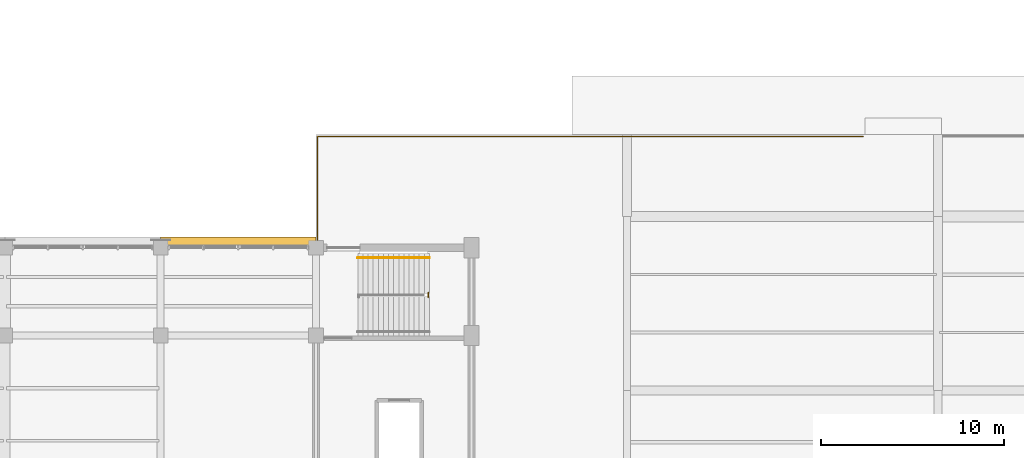
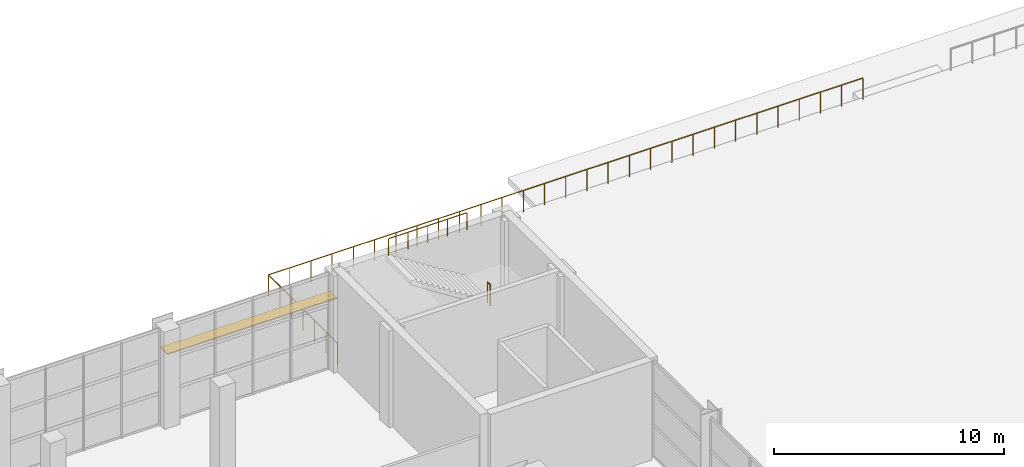
# One storey, part 81 of 90: 3 railings, 1 shading device.
"""IFC4 building model written with IfcOpenShell, lengths in metres."""

from ifc_helpers import new_model, si_unit, direction, frame, origin, origin_2d, place, context, subcontext, project, spatial, hollow_rectangle, circle, extrude, material, material_profile, profile_set, type_object, element, save


model = new_model("IFC4")

# Units and contexts
model_context = context("Model", 3, precision=1e-05, world=origin(), true_north=direction((0.0, 1.0)))
body_context = subcontext(model_context, "Body", "Model", "MODEL_VIEW")
ifc_project = project(units=[si_unit("LENGTHUNIT", "METRE"), si_unit("AREAUNIT", "SQUARE_METRE"), si_unit("VOLUMEUNIT", "CUBIC_METRE"), si_unit("PLANEANGLEUNIT", "RADIAN"), si_unit("MASSUNIT", "GRAM", prefix="KILO")], contexts=[model_context])

# Site, building, storey
site_placement = place(None, origin())
site = spatial("IfcSite", under=ifc_project, at=site_placement, CompositionType="ELEMENT")
building_placement = place(site_placement, origin())
building = spatial("IfcBuilding", under=site, at=building_placement, Name="Solvikara Media Centre", CompositionType="ELEMENT")
storey_placement = place(building_placement, origin())
storey = spatial("IfcBuildingStorey", under=building, at=storey_placement, Name="L00", CompositionType="ELEMENT", Elevation=0.0)

# Railings
ifc_material_1 = material(Name="Steel S355JR", Category="steel")
railing_type_1 = type_object("IfcRailingType", Name="GR-01", PredefinedType="GUARDRAIL", material=ifc_material_1)
railing_1_placement = place(storey_placement, frame((68.080078125, 36.8798828125, 0.0)))
element("IfcRailing", 1, at=railing_1_placement, inside=storey, type_object=railing_type_1, Name="GR-L00-PRM-03", PredefinedType="GUARDRAIL", context=body_context, shape_type="SweptSolid", body=[
    extrude(circle(Radius=0.02392578125, at=origin_2d()), frame((0.0, 0.0, 1.1259765625), z_axis=(0.0, 1.0, 0.0), x_axis=(-1.0, 0.0, 0.0)), (0.0, 0.0, 1.0), 6.0),
    extrude(circle(Radius=0.02392578125, at=origin_2d()), frame((0.0, 6.0, 1.1259765625), z_axis=(1.0, 0.0, 0.0), x_axis=(0.0, 1.0, 0.0)), (0.0, 0.0, 1.0), 29.81982421875),
    extrude(circle(Radius=0.02099609375, at=origin_2d()), origin(), (0.0, 0.0, 1.0), 1.101806640625),
    extrude(circle(Radius=0.02099609375, at=origin_2d()), frame((0.0, 1.0, 0.0)), (0.0, 0.0, 1.0), 1.101806640625),
    extrude(circle(Radius=0.02099609375, at=origin_2d()), frame((0.0, 2.0, 0.0)), (0.0, 0.0, 1.0), 1.101806640625),
    extrude(circle(Radius=0.02099609375, at=origin_2d()), frame((0.0, 3.0, 0.0)), (0.0, 0.0, 1.0), 1.101806640625),
    extrude(circle(Radius=0.02099609375, at=origin_2d()), frame((0.0, 4.0, 0.0)), (0.0, 0.0, 1.0), 1.101806640625),
    extrude(circle(Radius=0.02099609375, at=origin_2d()), frame((0.0, 5.0, 0.0)), (0.0, 0.0, 1.0), 1.101806640625),
    extrude(circle(Radius=0.02099609375, at=origin_2d()), frame((0.0, 6.0, 0.0)), (0.0, 0.0, 1.0), 1.101806640625),
    extrude(circle(Radius=0.02099609375, at=origin_2d()), frame((1.06494140625, 6.0, 0.0)), (0.0, 0.0, 1.0), 1.101806640625),
    extrude(circle(Radius=0.02099609375, at=origin_2d()), frame((2.1298828125, 6.0, 0.0)), (0.0, 0.0, 1.0), 1.101806640625),
    extrude(circle(Radius=0.02099609375, at=origin_2d()), frame((3.195068359375, 6.0, 0.0)), (0.0, 0.0, 1.0), 1.101806640625),
    extrude(circle(Radius=0.02099609375, at=origin_2d()), frame((4.260009765625, 6.0, 0.0)), (0.0, 0.0, 1.0), 1.101806640625),
    extrude(circle(Radius=0.02099609375, at=origin_2d()), frame((5.324951171875, 6.0, 0.0)), (0.0, 0.0, 1.0), 1.101806640625),
    extrude(circle(Radius=0.02099609375, at=origin_2d()), frame((6.389892578125, 6.0, 0.0)), (0.0, 0.0, 1.0), 1.101806640625),
    extrude(circle(Radius=0.02099609375, at=origin_2d()), frame((7.455078125, 6.0, 0.0)), (0.0, 0.0, 1.0), 1.101806640625),
    extrude(circle(Radius=0.02099609375, at=origin_2d()), frame((8.52001953125, 6.0, 0.0)), (0.0, 0.0, 1.0), 1.101806640625),
    extrude(circle(Radius=0.02099609375, at=origin_2d()), frame((9.5849609375, 6.0, 0.0)), (0.0, 0.0, 1.0), 1.101806640625),
    extrude(circle(Radius=0.02099609375, at=origin_2d()), frame((10.64990234375, 6.0, 0.0)), (0.0, 0.0, 1.0), 1.101806640625),
    extrude(circle(Radius=0.02099609375, at=origin_2d()), frame((11.71484375, 6.0, 0.0)), (0.0, 0.0, 1.0), 1.101806640625),
    extrude(circle(Radius=0.02099609375, at=origin_2d()), frame((12.780029296875, 6.0, 0.0)), (0.0, 0.0, 1.0), 1.101806640625),
    extrude(circle(Radius=0.02099609375, at=origin_2d()), frame((13.844970703125, 6.0, 0.0)), (0.0, 0.0, 1.0), 1.101806640625),
    extrude(circle(Radius=0.02099609375, at=origin_2d()), frame((14.909912109375, 6.0, 0.0)), (0.0, 0.0, 1.0), 1.101806640625),
    extrude(circle(Radius=0.02099609375, at=origin_2d()), frame((15.974853515625, 6.0, 0.0)), (0.0, 0.0, 1.0), 1.101806640625),
    extrude(circle(Radius=0.02099609375, at=origin_2d()), frame((17.039794921875, 6.0, 0.0)), (0.0, 0.0, 1.0), 1.101806640625),
    extrude(circle(Radius=0.02099609375, at=origin_2d()), frame((18.10498046875, 6.0, 0.0)), (0.0, 0.0, 1.0), 1.101806640625),
    extrude(circle(Radius=0.02099609375, at=origin_2d()), frame((19.169921875, 6.0, 0.0)), (0.0, 0.0, 1.0), 1.101806640625),
    extrude(circle(Radius=0.02099609375, at=origin_2d()), frame((20.23486328125, 6.0, 0.0)), (0.0, 0.0, 1.0), 1.101806640625),
    extrude(circle(Radius=0.02099609375, at=origin_2d()), frame((21.2998046875, 6.0, 0.0)), (0.0, 0.0, 1.0), 1.101806640625),
    extrude(circle(Radius=0.02099609375, at=origin_2d()), frame((22.36474609375, 6.0, 0.0)), (0.0, 0.0, 1.0), 1.101806640625),
    extrude(circle(Radius=0.02099609375, at=origin_2d()), frame((23.429931640625, 6.0, 0.0)), (0.0, 0.0, 1.0), 1.101806640625),
    extrude(circle(Radius=0.02099609375, at=origin_2d()), frame((24.494873046875, 6.0, 0.0)), (0.0, 0.0, 1.0), 1.101806640625),
    extrude(circle(Radius=0.02099609375, at=origin_2d()), frame((25.559814453125, 6.0, 0.0)), (0.0, 0.0, 1.0), 1.101806640625),
    extrude(circle(Radius=0.02099609375, at=origin_2d()), frame((26.624755859375, 6.0, 0.0)), (0.0, 0.0, 1.0), 1.101806640625),
    extrude(circle(Radius=0.02099609375, at=origin_2d()), frame((27.68994140625, 6.0, 0.0)), (0.0, 0.0, 1.0), 1.101806640625),
    extrude(circle(Radius=0.02099609375, at=origin_2d()), frame((28.7548828125, 6.0, 0.0)), (0.0, 0.0, 1.0), 1.101806640625),
    extrude(circle(Radius=0.02099609375, at=origin_2d()), frame((29.81982421875, 6.0, 0.0)), (0.0, 0.0, 1.0), 1.101806640625),
])
railing_type_2 = type_object("IfcRailingType", Name="GR-02", PredefinedType="BALUSTRADE", material=ifc_material_1)
railing_2_placement = place(storey_placement, frame((74.139892578125, 34.10009765625, 2.699951171875)))
element("IfcRailing", 2, at=railing_2_placement, inside=storey, type_object=railing_type_2, Name="GR-C3-L00-M", PredefinedType="BALUSTRADE", context=body_context, shape_type="SweptSolid", body=[
    extrude(circle(Radius=0.02392578125, at=origin_2d()), frame((0.0, 0.0, 1.09619140625), z_axis=(0.0, 1.0, 0.0), x_axis=(-1.0, 0.0, 0.0)), (0.0, 0.0, 1.0), 0.25),
    extrude(circle(Radius=0.02099609375, at=origin_2d()), origin(), (0.0, 0.0, 1.0), 1.072021484375),
    extrude(circle(Radius=0.02099609375, at=origin_2d()), frame((0.0, 0.25, 0.0)), (0.0, 0.0, 1.0), 1.072021484375),
])
railing_type_3 = type_object("IfcRailingType", Name="HR-01", PredefinedType="HANDRAIL", material=ifc_material_1)
railing_3_placement = place(storey_placement, frame((74.199951171875, 36.25, 5.39990234375)))
element("IfcRailing", 3, at=railing_3_placement, inside=storey, type_object=railing_type_3, Name="HR-C3-L00-2", PredefinedType="HANDRAIL", context=body_context, shape_type="SweptSolid", body=[
    extrude(circle(Radius=0.02392578125, at=origin_2d()), frame((0.0, 0.0, 0.89599609375), z_axis=(-1.0, 0.0, 0.0), x_axis=(0.0, -1.0, 0.0)), (0.0, 0.0, 1.0), 3.919921875),
    extrude(circle(Radius=0.02099609375, at=origin_2d()), origin(), (0.0, 0.0, 1.0), 0.871826171875),
    extrude(circle(Radius=0.02099609375, at=origin_2d()), frame((-0.97998046875, 0.0, 0.0)), (0.0, 0.0, 1.0), 0.871826171875),
    extrude(circle(Radius=0.02099609375, at=origin_2d()), frame((-1.9599609375, 0.0, 0.0)), (0.0, 0.0, 1.0), 0.871826171875),
    extrude(circle(Radius=0.02099609375, at=origin_2d()), frame((-2.93994140625, 0.0, 0.0)), (0.0, 0.0, 1.0), 0.871826171875),
    extrude(circle(Radius=0.02099609375, at=origin_2d()), frame((-3.919921875, 0.0, 0.0)), (0.0, 0.0, 1.0), 0.871826171875),
])

# Shading device
ifc_material_2 = material(Name="Anodised aluminium EN AW-6063", Category="aluminium")
ifc_material_profile = material_profile(ifc_material_2, hollow_rectangle(XDim=0.60009765625, YDim=0.06005859375, WallThickness=0.00341796875, at=origin_2d()), Name="ALU-LOUVRE 60x600x3.5")
ifc_profile_set = profile_set([ifc_material_profile], Name="Anodised aluminium EN AW-6063")
shading_device_type = type_object("IfcShadingDeviceType", Name="SH-02", PredefinedType="JALOUSIE", material=ifc_profile_set)
shading_device_placement = place(storey_placement, frame((59.5, 37.10009765625, 3.60009765625), z_axis=(1.0, 0.0, 0.0), x_axis=(0.0, 1.0, 0.0)))
element("IfcShadingDevice", 4, at=shading_device_placement, inside=storey, type_object=shading_device_type, Name="LVR-L00-003", PredefinedType="JALOUSIE", context=body_context, shape_type="SweptSolid", body=[
    extrude(hollow_rectangle(XDim=0.60009765625, YDim=0.06005859375, WallThickness=0.00341796875, at=origin_2d()), origin(), (0.0, 0.0, 1.0), 8.5),
])

save(model, "model.ifc")
